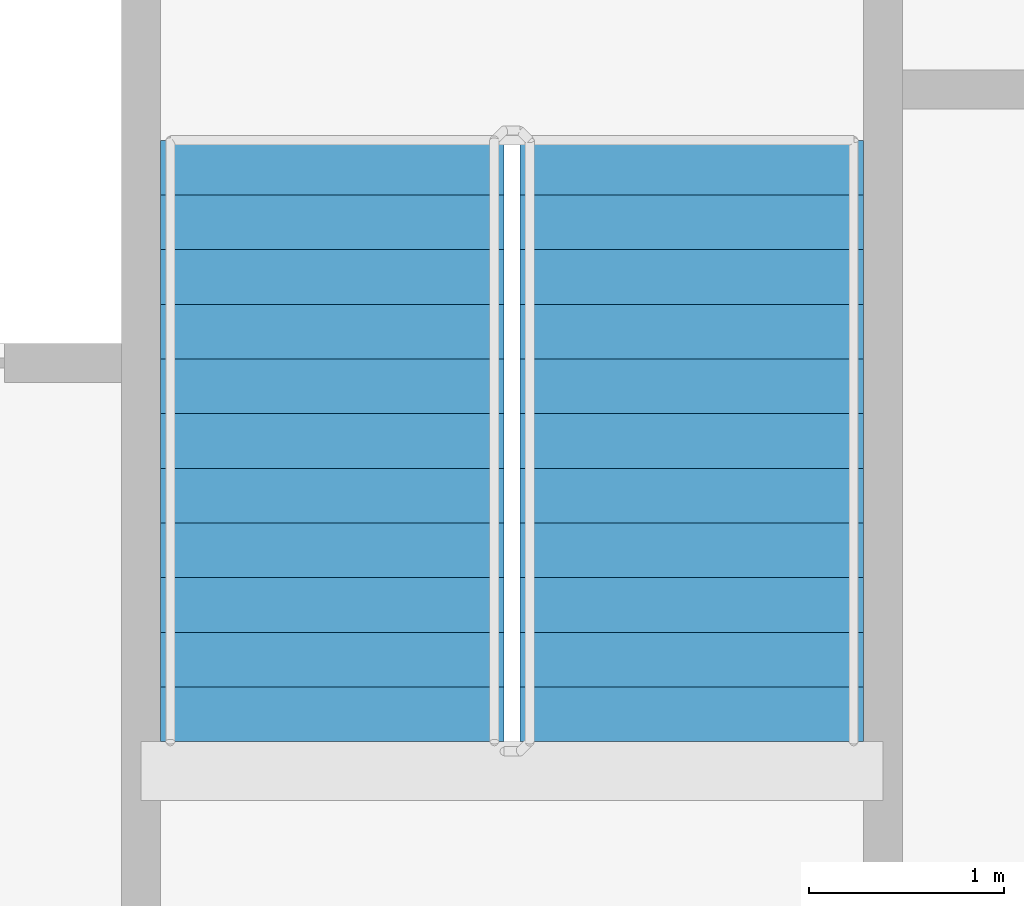
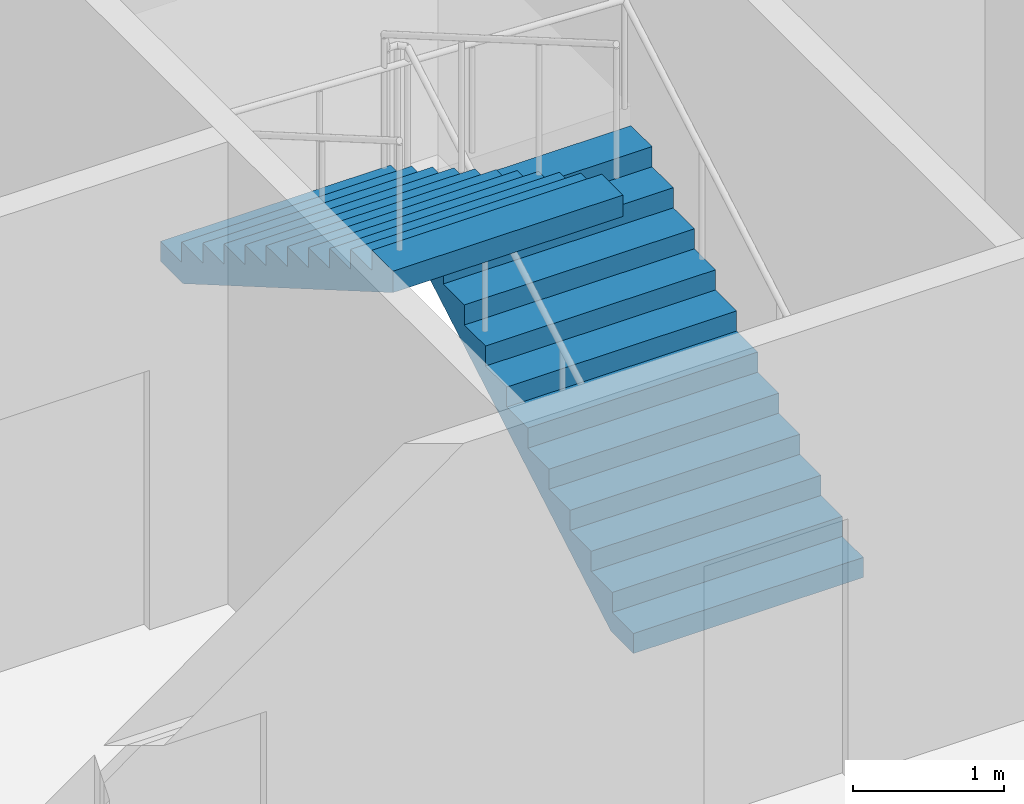
# One storey, part 17 of 22: 2 stair flights, 1 element without a shape of its own.
"""IFC4 building model written with IfcOpenShell, lengths in metres."""

from ifc_helpers import new_model, si_unit, direction, frame, origin, place, context, subcontext, project, spatial, faceted_brep, material, type_object, element, aggregate, save


model = new_model("IFC4")

# Units and contexts
model_context = context("Model", 3, precision=1e-05, world=origin(), true_north=direction((0.0, 1.0)))
body_context = subcontext(model_context, "Body", "Model", "MODEL_VIEW")
ifc_project = project(units=[si_unit("LENGTHUNIT", "METRE"), si_unit("AREAUNIT", "SQUARE_METRE"), si_unit("VOLUMEUNIT", "CUBIC_METRE"), si_unit("PLANEANGLEUNIT", "RADIAN"), si_unit("MASSUNIT", "GRAM", prefix="KILO")], contexts=[model_context])

# Site, building, storey
site_placement = place(None, origin())
site = spatial("IfcSite", under=ifc_project, at=site_placement, CompositionType="ELEMENT")
building_placement = place(site_placement, origin())
building = spatial("IfcBuilding", under=site, at=building_placement, Name="Tarsis Ring Headquarters", CompositionType="ELEMENT")
storey_placement = place(building_placement, frame((0.0, 0.0, 79.0)))
storey = spatial("IfcBuildingStorey", under=building, at=storey_placement, Name="L17", CompositionType="ELEMENT", Elevation=79.0)

# Stair, stair flights
ifc_material_1 = material(Name="Core stair 1760")
stair_type = type_object("IfcStairType", Name="Core stair 1760", PredefinedType="HALF_TURN_STAIR", material=ifc_material_1)
stair_placement = place(storey_placement, origin())
stair = element("IfcStair", 1, at=stair_placement, inside=storey, type_object=stair_type, Name="L17 Exit stair B", PredefinedType="HALF_TURN_STAIR")
ifc_material_2 = material(Name="Concrete C40/50", Category="concrete")
stair_flight_type = type_object("IfcStairFlightType", Name="Core stair flight 1760", PredefinedType="STRAIGHT", material=ifc_material_2)
stair_flight_1_placement = place(storey_placement, frame((5.419921875, 3.659912109375, 0.0), z_axis=(0.0, 0.0, 1.0), x_axis=(0.0, 1.0, 0.0)))
stair_flight_1 = element("IfcStairFlight", 2, at=stair_flight_1_placement, type_object=stair_flight_type, Name="Stair ST2 flight 1", NumberOfRisers=12, NumberOfTreads=11, PredefinedType="STRAIGHT", RiserHeight=0.1625, TreadLength=0.28, context=body_context, shape_type="Brep", body=[
    faceted_brep([(0.0, 0.8798828125, 0.0), (0.0, 0.8798828125, 0.16259765625), (0.280029296875, 0.8798828125, 0.16259765625), (0.280029296875, 0.8798828125, 0.324951171875), (0.56005859375, 0.8798828125, 0.324951171875), (0.56005859375, 0.8798828125, 0.487548828125), (0.840087890625, 0.8798828125, 0.487548828125), (0.840087890625, 0.8798828125, 0.64990234375), (1.1201171875, 0.8798828125, 0.64990234375), (1.1201171875, 0.8798828125, 0.8125), (1.39990234375, 0.8798828125, 0.8125), (1.39990234375, 0.8798828125, 0.97509765625), (1.679931640625, 0.8798828125, 0.97509765625), (1.679931640625, 0.8798828125, 1.137451171875), (1.9599609375, 0.8798828125, 1.137451171875), (1.9599609375, 0.8798828125, 1.300048828125), (2.239990234375, 0.8798828125, 1.300048828125), (2.239990234375, 0.8798828125, 1.46240234375), (2.52001953125, 0.8798828125, 1.46240234375), (2.52001953125, 0.8798828125, 1.625), (2.800048828125, 0.8798828125, 1.625), (2.800048828125, 0.8798828125, 1.78759765625), (3.080078125, 0.8798828125, 1.78759765625), (3.080078125, 0.8798828125, 1.6142578125), (0.298583984375, 0.8798828125, 0.0), (0.298583984375, -0.8798828125, 0.0), (3.080078125, -0.8798828125, 1.6142578125), (3.080078125, -0.8798828125, 1.78759765625), (2.800048828125, -0.8798828125, 1.78759765625), (2.800048828125, -0.8798828125, 1.625), (2.52001953125, -0.8798828125, 1.625), (2.52001953125, -0.8798828125, 1.46240234375), (2.239990234375, -0.8798828125, 1.46240234375), (2.239990234375, -0.8798828125, 1.300048828125), (1.9599609375, -0.8798828125, 1.300048828125), (1.9599609375, -0.8798828125, 1.137451171875), (1.679931640625, -0.8798828125, 1.137451171875), (1.679931640625, -0.8798828125, 0.97509765625), (1.39990234375, -0.8798828125, 0.97509765625), (1.39990234375, -0.8798828125, 0.8125), (1.1201171875, -0.8798828125, 0.8125), (1.1201171875, -0.8798828125, 0.64990234375), (0.840087890625, -0.8798828125, 0.64990234375), (0.840087890625, -0.8798828125, 0.487548828125), (0.56005859375, -0.8798828125, 0.487548828125), (0.56005859375, -0.8798828125, 0.324951171875), (0.280029296875, -0.8798828125, 0.324951171875), (0.280029296875, -0.8798828125, 0.16259765625), (0.0, -0.8798828125, 0.16259765625), (0.0, -0.8798828125, 0.0), (0.0, -0.43994140625, 0.16259765625), (0.0, -0.43994140625, 0.0), (0.0, 0.0, 0.16259765625), (0.0, 0.0, 0.0), (0.0, 0.43994140625, 0.16259765625), (0.0, 0.43994140625, 0.0), (0.280029296875, -0.43994140625, 0.16259765625), (0.280029296875, 0.0, 0.16259765625), (0.280029296875, 0.43994140625, 0.16259765625), (0.280029296875, -0.43994140625, 0.324951171875), (0.280029296875, 0.0, 0.324951171875), (0.280029296875, 0.43994140625, 0.324951171875), (0.56005859375, -0.43994140625, 0.324951171875), (0.56005859375, 0.0, 0.324951171875), (0.56005859375, 0.43994140625, 0.324951171875), (0.56005859375, -0.43994140625, 0.487548828125), (0.56005859375, 0.0, 0.487548828125), (0.56005859375, 0.43994140625, 0.487548828125), (0.840087890625, -0.43994140625, 0.487548828125), (0.840087890625, 0.0, 0.487548828125), (0.840087890625, 0.43994140625, 0.487548828125), (0.840087890625, -0.43994140625, 0.64990234375), (0.840087890625, 0.0, 0.64990234375), (0.840087890625, 0.43994140625, 0.64990234375), (1.1201171875, -0.43994140625, 0.64990234375), (1.1201171875, 0.0, 0.64990234375), (1.1201171875, 0.43994140625, 0.64990234375), (1.1201171875, -0.43994140625, 0.8125), (1.1201171875, 0.0, 0.8125), (1.1201171875, 0.43994140625, 0.8125), (1.39990234375, -0.43994140625, 0.8125), (1.39990234375, 0.0, 0.8125), (1.39990234375, 0.43994140625, 0.8125), (1.39990234375, -0.43994140625, 0.97509765625), (1.39990234375, 0.0, 0.97509765625), (1.39990234375, 0.43994140625, 0.97509765625), (1.679931640625, -0.43994140625, 0.97509765625), (1.679931640625, 0.0, 0.97509765625), (1.679931640625, 0.43994140625, 0.97509765625), (1.679931640625, -0.43994140625, 1.137451171875), (1.679931640625, 0.0, 1.137451171875), (1.679931640625, 0.43994140625, 1.137451171875), (1.9599609375, -0.43994140625, 1.137451171875), (1.9599609375, 0.0, 1.137451171875), (1.9599609375, 0.43994140625, 1.137451171875), (1.9599609375, -0.43994140625, 1.300048828125), (1.9599609375, 0.0, 1.300048828125), (1.9599609375, 0.43994140625, 1.300048828125), (2.239990234375, -0.43994140625, 1.300048828125), (2.239990234375, 0.0, 1.300048828125), (2.239990234375, 0.43994140625, 1.300048828125), (2.239990234375, -0.43994140625, 1.46240234375), (2.239990234375, 0.0, 1.46240234375), (2.239990234375, 0.43994140625, 1.46240234375), (2.52001953125, -0.43994140625, 1.46240234375), (2.52001953125, 0.0, 1.46240234375), (2.52001953125, 0.43994140625, 1.46240234375), (2.52001953125, -0.43994140625, 1.625), (2.52001953125, 0.0, 1.625), (2.52001953125, 0.43994140625, 1.625), (2.800048828125, -0.43994140625, 1.625), (2.800048828125, 0.0, 1.625), (2.800048828125, 0.43994140625, 1.625), (2.800048828125, -0.43994140625, 1.78759765625), (2.800048828125, 0.0, 1.78759765625), (2.800048828125, 0.43994140625, 1.78759765625), (3.080078125, -0.43994140625, 1.78759765625), (3.080078125, 0.0, 1.78759765625), (3.080078125, 0.43994140625, 1.78759765625), (3.080078125, -0.43994140625, 1.6142578125), (3.080078125, 0.0, 1.6142578125), (3.080078125, 0.43994140625, 1.6142578125), (0.298583984375, -0.43994140625, 0.0), (0.298583984375, 0.0, 0.0), (0.298583984375, 0.43994140625, 0.0)], [[[0, 1, 2, 3, 4, 5, 6, 7, 8, 9, 10, 11, 12, 13, 14, 15, 16, 17, 18, 19, 20, 21, 22, 23, 24]], [[25, 26, 27, 28, 29, 30, 31, 32, 33, 34, 35, 36, 37, 38, 39, 40, 41, 42, 43, 44, 45, 46, 47, 48, 49]], [[49, 48, 50, 51]], [[51, 50, 52, 53]], [[53, 52, 54, 55]], [[55, 54, 1, 0]], [[48, 47, 56, 50]], [[50, 56, 57, 52]], [[52, 57, 58, 54]], [[54, 58, 2, 1]], [[47, 46, 59, 56]], [[56, 59, 60, 57]], [[57, 60, 61, 58]], [[58, 61, 3, 2]], [[46, 45, 62, 59]], [[59, 62, 63, 60]], [[60, 63, 64, 61]], [[61, 64, 4, 3]], [[45, 44, 65, 62]], [[62, 65, 66, 63]], [[63, 66, 67, 64]], [[64, 67, 5, 4]], [[44, 43, 68, 65]], [[65, 68, 69, 66]], [[66, 69, 70, 67]], [[67, 70, 6, 5]], [[43, 42, 71, 68]], [[68, 71, 72, 69]], [[69, 72, 73, 70]], [[70, 73, 7, 6]], [[42, 41, 74, 71]], [[71, 74, 75, 72]], [[72, 75, 76, 73]], [[73, 76, 8, 7]], [[41, 40, 77, 74]], [[74, 77, 78, 75]], [[75, 78, 79, 76]], [[76, 79, 9, 8]], [[40, 39, 80, 77]], [[77, 80, 81, 78]], [[78, 81, 82, 79]], [[79, 82, 10, 9]], [[39, 38, 83, 80]], [[80, 83, 84, 81]], [[81, 84, 85, 82]], [[82, 85, 11, 10]], [[38, 37, 86, 83]], [[83, 86, 87, 84]], [[84, 87, 88, 85]], [[85, 88, 12, 11]], [[37, 36, 89, 86]], [[86, 89, 90, 87]], [[87, 90, 91, 88]], [[88, 91, 13, 12]], [[36, 35, 92, 89]], [[89, 92, 93, 90]], [[90, 93, 94, 91]], [[91, 94, 14, 13]], [[35, 34, 95, 92]], [[92, 95, 96, 93]], [[93, 96, 97, 94]], [[94, 97, 15, 14]], [[34, 33, 98, 95]], [[95, 98, 99, 96]], [[96, 99, 100, 97]], [[97, 100, 16, 15]], [[33, 32, 101, 98]], [[98, 101, 102, 99]], [[99, 102, 103, 100]], [[100, 103, 17, 16]], [[32, 31, 104, 101]], [[101, 104, 105, 102]], [[102, 105, 106, 103]], [[103, 106, 18, 17]], [[31, 30, 107, 104]], [[104, 107, 108, 105]], [[105, 108, 109, 106]], [[106, 109, 19, 18]], [[30, 29, 110, 107]], [[107, 110, 111, 108]], [[108, 111, 112, 109]], [[109, 112, 20, 19]], [[29, 28, 113, 110]], [[110, 113, 114, 111]], [[111, 114, 115, 112]], [[112, 115, 21, 20]], [[28, 27, 116, 113]], [[113, 116, 117, 114]], [[114, 117, 118, 115]], [[115, 118, 22, 21]], [[27, 26, 119, 116]], [[116, 119, 120, 117]], [[117, 120, 121, 118]], [[118, 121, 23, 22]], [[26, 25, 122, 119]], [[119, 122, 123, 120]], [[120, 123, 124, 121]], [[121, 124, 24, 23]], [[25, 49, 51, 122]], [[122, 51, 53, 123]], [[123, 53, 55, 124]], [[124, 55, 0, 24]]]),
])
stair_flight_2_placement = place(storey_placement, frame((3.580078125, 6.739990234375, 1.949951171875), z_axis=(0.0, 0.0, 1.0), x_axis=(0.0, -1.0, 0.0)))
stair_flight_2 = element("IfcStairFlight", 3, at=stair_flight_2_placement, type_object=stair_flight_type, Name="Stair ST2 flight 2", NumberOfRisers=12, NumberOfTreads=11, PredefinedType="STRAIGHT", RiserHeight=0.1625, TreadLength=0.28, context=body_context, shape_type="Brep", body=[
    faceted_brep([(0.0, 0.8798828125, 0.0), (0.0, 0.8798828125, 0.16259765625), (0.280029296875, 0.8798828125, 0.16259765625), (0.280029296875, 0.8798828125, 0.324951171875), (0.56005859375, 0.8798828125, 0.324951171875), (0.56005859375, 0.8798828125, 0.487548828125), (0.840087890625, 0.8798828125, 0.487548828125), (0.840087890625, 0.8798828125, 0.64990234375), (1.1201171875, 0.8798828125, 0.64990234375), (1.1201171875, 0.8798828125, 0.8125), (1.39990234375, 0.8798828125, 0.8125), (1.39990234375, 0.8798828125, 0.97509765625), (1.679931640625, 0.8798828125, 0.97509765625), (1.679931640625, 0.8798828125, 1.137451171875), (1.9599609375, 0.8798828125, 1.137451171875), (1.9599609375, 0.8798828125, 1.300048828125), (2.239990234375, 0.8798828125, 1.300048828125), (2.239990234375, 0.8798828125, 1.46240234375), (2.52001953125, 0.8798828125, 1.46240234375), (2.52001953125, 0.8798828125, 1.625), (2.800048828125, 0.8798828125, 1.625), (2.800048828125, 0.8798828125, 1.78759765625), (3.080078125, 0.8798828125, 1.78759765625), (3.080078125, 0.8798828125, 1.6142578125), (0.298583984375, 0.8798828125, 0.0), (0.298583984375, -0.8798828125, 0.0), (3.080078125, -0.8798828125, 1.6142578125), (3.080078125, -0.8798828125, 1.78759765625), (2.800048828125, -0.8798828125, 1.78759765625), (2.800048828125, -0.8798828125, 1.625), (2.52001953125, -0.8798828125, 1.625), (2.52001953125, -0.8798828125, 1.46240234375), (2.239990234375, -0.8798828125, 1.46240234375), (2.239990234375, -0.8798828125, 1.300048828125), (1.9599609375, -0.8798828125, 1.300048828125), (1.9599609375, -0.8798828125, 1.137451171875), (1.679931640625, -0.8798828125, 1.137451171875), (1.679931640625, -0.8798828125, 0.97509765625), (1.39990234375, -0.8798828125, 0.97509765625), (1.39990234375, -0.8798828125, 0.8125), (1.1201171875, -0.8798828125, 0.8125), (1.1201171875, -0.8798828125, 0.64990234375), (0.840087890625, -0.8798828125, 0.64990234375), (0.840087890625, -0.8798828125, 0.487548828125), (0.56005859375, -0.8798828125, 0.487548828125), (0.56005859375, -0.8798828125, 0.324951171875), (0.280029296875, -0.8798828125, 0.324951171875), (0.280029296875, -0.8798828125, 0.16259765625), (0.0, -0.8798828125, 0.16259765625), (0.0, -0.8798828125, 0.0), (0.0, -0.43994140625, 0.16259765625), (0.0, -0.43994140625, 0.0), (0.0, 0.0, 0.16259765625), (0.0, 0.0, 0.0), (0.0, 0.43994140625, 0.16259765625), (0.0, 0.43994140625, 0.0), (0.280029296875, -0.43994140625, 0.16259765625), (0.280029296875, 0.0, 0.16259765625), (0.280029296875, 0.43994140625, 0.16259765625), (0.280029296875, -0.43994140625, 0.324951171875), (0.280029296875, 0.0, 0.324951171875), (0.280029296875, 0.43994140625, 0.324951171875), (0.56005859375, -0.43994140625, 0.324951171875), (0.56005859375, 0.0, 0.324951171875), (0.56005859375, 0.43994140625, 0.324951171875), (0.56005859375, -0.43994140625, 0.487548828125), (0.56005859375, 0.0, 0.487548828125), (0.56005859375, 0.43994140625, 0.487548828125), (0.840087890625, -0.43994140625, 0.487548828125), (0.840087890625, 0.0, 0.487548828125), (0.840087890625, 0.43994140625, 0.487548828125), (0.840087890625, -0.43994140625, 0.64990234375), (0.840087890625, 0.0, 0.64990234375), (0.840087890625, 0.43994140625, 0.64990234375), (1.1201171875, -0.43994140625, 0.64990234375), (1.1201171875, 0.0, 0.64990234375), (1.1201171875, 0.43994140625, 0.64990234375), (1.1201171875, -0.43994140625, 0.8125), (1.1201171875, 0.0, 0.8125), (1.1201171875, 0.43994140625, 0.8125), (1.39990234375, -0.43994140625, 0.8125), (1.39990234375, 0.0, 0.8125), (1.39990234375, 0.43994140625, 0.8125), (1.39990234375, -0.43994140625, 0.97509765625), (1.39990234375, 0.0, 0.97509765625), (1.39990234375, 0.43994140625, 0.97509765625), (1.679931640625, -0.43994140625, 0.97509765625), (1.679931640625, 0.0, 0.97509765625), (1.679931640625, 0.43994140625, 0.97509765625), (1.679931640625, -0.43994140625, 1.137451171875), (1.679931640625, 0.0, 1.137451171875), (1.679931640625, 0.43994140625, 1.137451171875), (1.9599609375, -0.43994140625, 1.137451171875), (1.9599609375, 0.0, 1.137451171875), (1.9599609375, 0.43994140625, 1.137451171875), (1.9599609375, -0.43994140625, 1.300048828125), (1.9599609375, 0.0, 1.300048828125), (1.9599609375, 0.43994140625, 1.300048828125), (2.239990234375, -0.43994140625, 1.300048828125), (2.239990234375, 0.0, 1.300048828125), (2.239990234375, 0.43994140625, 1.300048828125), (2.239990234375, -0.43994140625, 1.46240234375), (2.239990234375, 0.0, 1.46240234375), (2.239990234375, 0.43994140625, 1.46240234375), (2.52001953125, -0.43994140625, 1.46240234375), (2.52001953125, 0.0, 1.46240234375), (2.52001953125, 0.43994140625, 1.46240234375), (2.52001953125, -0.43994140625, 1.625), (2.52001953125, 0.0, 1.625), (2.52001953125, 0.43994140625, 1.625), (2.800048828125, -0.43994140625, 1.625), (2.800048828125, 0.0, 1.625), (2.800048828125, 0.43994140625, 1.625), (2.800048828125, -0.43994140625, 1.78759765625), (2.800048828125, 0.0, 1.78759765625), (2.800048828125, 0.43994140625, 1.78759765625), (3.080078125, -0.43994140625, 1.78759765625), (3.080078125, 0.0, 1.78759765625), (3.080078125, 0.43994140625, 1.78759765625), (3.080078125, -0.43994140625, 1.6142578125), (3.080078125, 0.0, 1.6142578125), (3.080078125, 0.43994140625, 1.6142578125), (0.298583984375, -0.43994140625, 0.0), (0.298583984375, 0.0, 0.0), (0.298583984375, 0.43994140625, 0.0)], [[[0, 1, 2, 3, 4, 5, 6, 7, 8, 9, 10, 11, 12, 13, 14, 15, 16, 17, 18, 19, 20, 21, 22, 23, 24]], [[25, 26, 27, 28, 29, 30, 31, 32, 33, 34, 35, 36, 37, 38, 39, 40, 41, 42, 43, 44, 45, 46, 47, 48, 49]], [[49, 48, 50, 51]], [[51, 50, 52, 53]], [[53, 52, 54, 55]], [[55, 54, 1, 0]], [[48, 47, 56, 50]], [[50, 56, 57, 52]], [[52, 57, 58, 54]], [[54, 58, 2, 1]], [[47, 46, 59, 56]], [[56, 59, 60, 57]], [[57, 60, 61, 58]], [[58, 61, 3, 2]], [[46, 45, 62, 59]], [[59, 62, 63, 60]], [[60, 63, 64, 61]], [[61, 64, 4, 3]], [[45, 44, 65, 62]], [[62, 65, 66, 63]], [[63, 66, 67, 64]], [[64, 67, 5, 4]], [[44, 43, 68, 65]], [[65, 68, 69, 66]], [[66, 69, 70, 67]], [[67, 70, 6, 5]], [[43, 42, 71, 68]], [[68, 71, 72, 69]], [[69, 72, 73, 70]], [[70, 73, 7, 6]], [[42, 41, 74, 71]], [[71, 74, 75, 72]], [[72, 75, 76, 73]], [[73, 76, 8, 7]], [[41, 40, 77, 74]], [[74, 77, 78, 75]], [[75, 78, 79, 76]], [[76, 79, 9, 8]], [[40, 39, 80, 77]], [[77, 80, 81, 78]], [[78, 81, 82, 79]], [[79, 82, 10, 9]], [[39, 38, 83, 80]], [[80, 83, 84, 81]], [[81, 84, 85, 82]], [[82, 85, 11, 10]], [[38, 37, 86, 83]], [[83, 86, 87, 84]], [[84, 87, 88, 85]], [[85, 88, 12, 11]], [[37, 36, 89, 86]], [[86, 89, 90, 87]], [[87, 90, 91, 88]], [[88, 91, 13, 12]], [[36, 35, 92, 89]], [[89, 92, 93, 90]], [[90, 93, 94, 91]], [[91, 94, 14, 13]], [[35, 34, 95, 92]], [[92, 95, 96, 93]], [[93, 96, 97, 94]], [[94, 97, 15, 14]], [[34, 33, 98, 95]], [[95, 98, 99, 96]], [[96, 99, 100, 97]], [[97, 100, 16, 15]], [[33, 32, 101, 98]], [[98, 101, 102, 99]], [[99, 102, 103, 100]], [[100, 103, 17, 16]], [[32, 31, 104, 101]], [[101, 104, 105, 102]], [[102, 105, 106, 103]], [[103, 106, 18, 17]], [[31, 30, 107, 104]], [[104, 107, 108, 105]], [[105, 108, 109, 106]], [[106, 109, 19, 18]], [[30, 29, 110, 107]], [[107, 110, 111, 108]], [[108, 111, 112, 109]], [[109, 112, 20, 19]], [[29, 28, 113, 110]], [[110, 113, 114, 111]], [[111, 114, 115, 112]], [[112, 115, 21, 20]], [[28, 27, 116, 113]], [[113, 116, 117, 114]], [[114, 117, 118, 115]], [[115, 118, 22, 21]], [[27, 26, 119, 116]], [[116, 119, 120, 117]], [[117, 120, 121, 118]], [[118, 121, 23, 22]], [[26, 25, 122, 119]], [[119, 122, 123, 120]], [[120, 123, 124, 121]], [[121, 124, 24, 23]], [[25, 49, 51, 122]], [[122, 51, 53, 123]], [[123, 53, 55, 124]], [[124, 55, 0, 24]]]),
])
aggregate(stair, [stair_flight_1, stair_flight_2])

save(model, "model.ifc")
